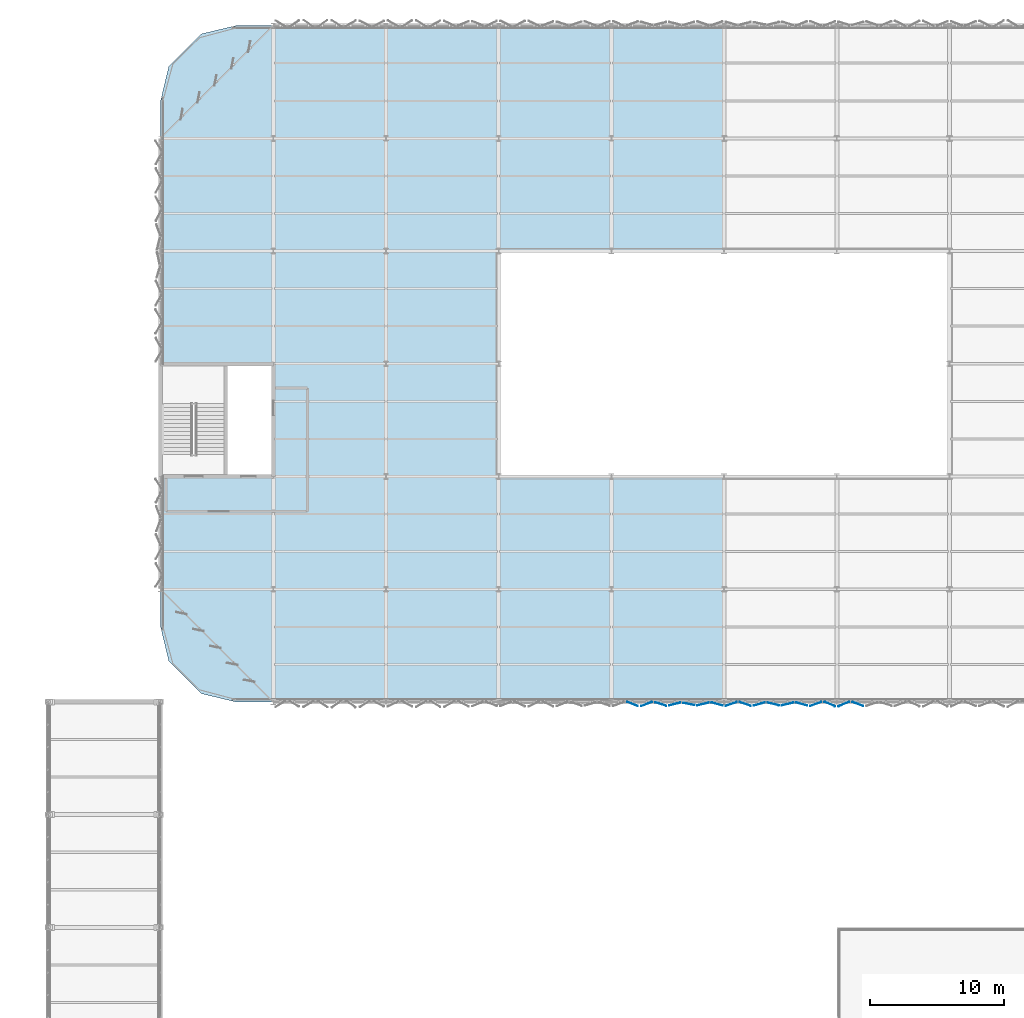
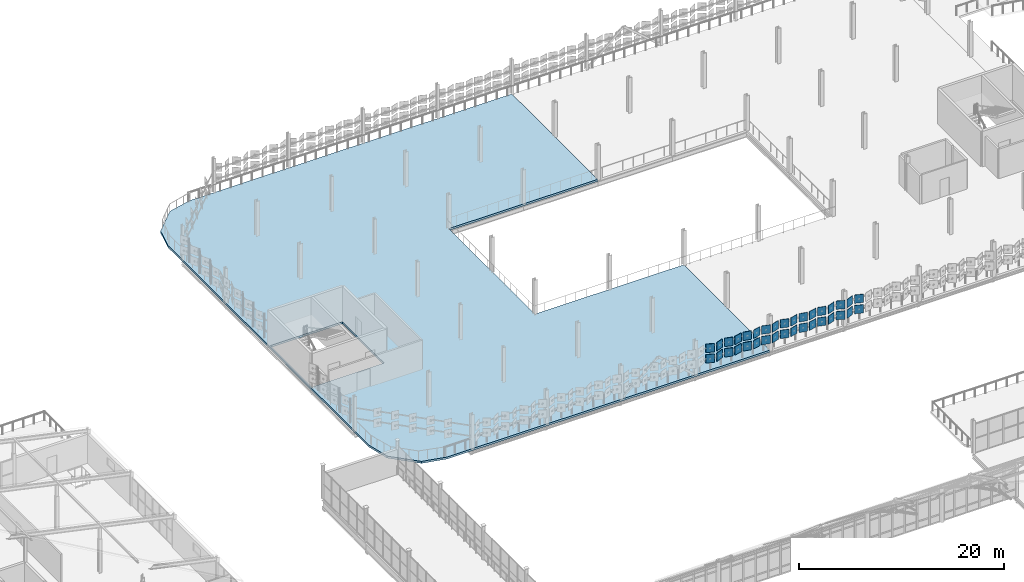
# One storey, part 144 of 184: 34 plates, 1 slab.
"""IFC4 building model written with IfcOpenShell, lengths in metres."""

from ifc_helpers import new_model, si_unit, direction, frame, origin, origin_2d, place, context, subcontext, project, spatial, polyline, rectangle, outline, extrude, material, layer, layer_set, type_object, element, save


model = new_model("IFC4")

# Units and contexts
model_context = context("Model", 3, precision=1e-05, world=origin(), true_north=direction((0.0, 1.0)))
body_context = subcontext(model_context, "Body", "Model", "MODEL_VIEW")
ifc_project = project(units=[si_unit("LENGTHUNIT", "METRE"), si_unit("AREAUNIT", "SQUARE_METRE"), si_unit("VOLUMEUNIT", "CUBIC_METRE"), si_unit("PLANEANGLEUNIT", "RADIAN"), si_unit("MASSUNIT", "GRAM", prefix="KILO")], contexts=[model_context])

# Site, building, storey
site_placement = place(None, origin())
site = spatial("IfcSite", under=ifc_project, at=site_placement, CompositionType="ELEMENT")
building_placement = place(site_placement, origin())
building = spatial("IfcBuilding", under=site, at=building_placement, Name="Qalvenar Corner Mobility Hub", CompositionType="ELEMENT")
storey_placement = place(building_placement, frame((0.0, 0.0, 9.0)))
storey = spatial("IfcBuildingStorey", under=building, at=storey_placement, Name="L02", CompositionType="ELEMENT", Elevation=9.0)

# Plates
ifc_material_1 = material(Name="Amber-Bronze Anodised Aluminium", Category="aluminium")
ifc_layer_1 = layer(ifc_material_1, 0.0380859375)
ifc_layer_set_1 = layer_set([ifc_layer_1], Name="Amber-Bronze Anodised Aluminium")
plate_type = type_object("IfcPlateType", Name="PLT-XC-L2-STD", PredefinedType="SHEET", material=ifc_layer_set_1)
for number, where, z_axis, x_axis, name in (
    (1, (93.97509765625, 67.0400390625, 1.0), (0.0, 0.0, 1.0), (0.925936516366, -0.377679186163, 0.0), "Hinged Facade Panel FP-L02-0411"),
    (2, (93.97509765625, 67.0400390625, 2.25), (0.0, 0.0, 1.0), (0.925936516366, -0.377679186163, 0.0), "Hinged Facade Panel FP-L02-0412"),
    (3, (95.02490234375, 67.0400390625, 1.0), (0.0, 0.0, 1.0), (0.933204632634, 0.359345396006, 0.0), "Hinged Facade Panel FP-L02-0413"),
    (4, (95.02490234375, 67.0400390625, 2.25), (0.0, 0.0, 1.0), (0.933204632634, 0.359345396006, 0.0), "Hinged Facade Panel FP-L02-0414"),
    (5, (96.074951171875, 67.0400390625, 1.0), (0.0, 0.0, 1.0), (0.954135885454, -0.299373866742, 0.0), "Hinged Facade Panel FP-L02-0415"),
    (6, (96.074951171875, 67.0400390625, 2.25), (0.0, 0.0, 1.0), (0.954135885454, -0.299373866742, 0.0), "Hinged Facade Panel FP-L02-0416"),
    (7, (97.125, 67.0400390625, 1.0), (0.0, 0.0, 1.0), (0.972124923868, 0.234463499069, 0.0), "Hinged Facade Panel FP-L02-0417"),
    (8, (97.125, 67.0400390625, 2.25), (0.0, 0.0, 1.0), (0.972124923868, 0.234463499069, 0.0), "Hinged Facade Panel FP-L02-0418"),
    (9, (98.175048828125, 67.0400390625, 1.0), (0.0, 0.0, 1.0), (0.97843694665, -0.206545736898, 0.0), "Hinged Facade Panel FP-L02-0419"),
    (10, (98.175048828125, 67.0400390625, 2.25), (0.0, 0.0, 1.0), (0.97843694665, -0.206545736898, 0.0), "Hinged Facade Panel FP-L02-0420"),
    (11, (99.22509765625, 67.0400390625, 1.0), (0.0, 0.0, 1.0), (0.973259115993, 0.229710019669, 0.0), "Hinged Facade Panel FP-L02-0421"),
    (12, (99.22509765625, 67.0400390625, 2.25), (0.0, 0.0, 1.0), (0.973259115993, 0.229710019669, 0.0), "Hinged Facade Panel FP-L02-0422"),
    (13, (100.27490234375, 67.0400390625, 1.0), (0.0, 0.0, 1.0), (0.96068229455, -0.277650011593, 0.0), "Hinged Facade Panel FP-L02-0423"),
    (14, (100.27490234375, 67.0400390625, 2.25), (0.0, 0.0, 1.0), (0.96068229455, -0.277650011593, 0.0), "Hinged Facade Panel FP-L02-0424"),
    (15, (101.324951171875, 67.0400390625, 1.0), (0.0, 0.0, 1.0), (0.948544944527, 0.316642524327, 0.0), "Hinged Facade Panel FP-L02-0425"),
    (16, (101.324951171875, 67.0400390625, 2.25), (0.0, 0.0, 1.0), (0.948544944527, 0.316642524327, 0.0), "Hinged Facade Panel FP-L02-0426"),
    (17, (102.375, 67.0400390625, 1.0), (0.0, 0.0, 1.0), (0.948212837214, -0.31763566447, 0.0), "Hinged Facade Panel FP-L02-0427"),
    (18, (102.375, 67.0400390625, 2.25), (0.0, 0.0, 1.0), (0.948212837214, -0.31763566447, 0.0), "Hinged Facade Panel FP-L02-0428"),
    (19, (103.425048828125, 67.0400390625, 1.0), (0.0, 0.0, 1.0), (0.960779154158, 0.277314653302, 0.0), "Hinged Facade Panel FP-L02-0429"),
    (20, (103.425048828125, 67.0400390625, 2.25), (0.0, 0.0, 1.0), (0.960779154158, 0.277314653302, 0.0), "Hinged Facade Panel FP-L02-0430"),
    (21, (104.47509765625, 67.0400390625, 1.0), (0.0, 0.0, 1.0), (0.972329161686, -0.233615070866, 0.0), "Hinged Facade Panel FP-L02-0431"),
    (22, (104.47509765625, 67.0400390625, 2.25), (0.0, 0.0, 1.0), (0.972329161686, -0.233615070866, 0.0), "Hinged Facade Panel FP-L02-0432"),
    (23, (105.52490234375, 67.0400390625, 1.0), (0.0, 0.0, 1.0), (0.973658553048, 0.228011013058, 0.0), "Hinged Facade Panel FP-L02-0433"),
    (24, (105.52490234375, 67.0400390625, 2.25), (0.0, 0.0, 1.0), (0.973658553048, 0.228011013058, 0.0), "Hinged Facade Panel FP-L02-0434"),
    (25, (106.574951171875, 67.0400390625, 1.0), (0.0, 0.0, 1.0), (0.962027671586, -0.272951935517, 0.0), "Hinged Facade Panel FP-L02-0435"),
    (26, (106.574951171875, 67.0400390625, 2.25), (0.0, 0.0, 1.0), (0.962027671586, -0.272951935517, 0.0), "Hinged Facade Panel FP-L02-0436"),
    (27, (107.625, 67.0400390625, 1.0), (0.0, 0.0, 1.0), (0.940050268133, 0.341035912161, 0.0), "Hinged Facade Panel FP-L02-0437"),
    (28, (107.625, 67.0400390625, 2.25), (0.0, 0.0, 1.0), (0.940050268133, 0.341035912161, 0.0), "Hinged Facade Panel FP-L02-0438"),
    (29, (108.675048828125, 67.0400390625, 1.0), (0.0, 0.0, 1.0), (0.921456840821, -0.388480746631, 0.0), "Hinged Facade Panel FP-L02-0439"),
    (30, (108.675048828125, 67.0400390625, 2.25), (0.0, 0.0, 1.0), (0.921456840821, -0.388480746631, 0.0), "Hinged Facade Panel FP-L02-0440"),
    (31, (109.72509765625, 67.0400390625, 1.0), (0.0, 0.0, 1.0), (0.921456840821, 0.388480746631, 0.0), "Hinged Facade Panel FP-L02-0441"),
    (32, (109.72509765625, 67.0400390625, 2.25), (0.0, 0.0, 1.0), (0.921456840821, 0.388480746631, 0.0), "Hinged Facade Panel FP-L02-0442"),
    (33, (110.77490234375, 67.0400390625, 1.0), (0.0, 0.0, 1.0), (0.937221137918, -0.348735628579, 0.0), "Hinged Facade Panel FP-L02-0443"),
    (34, (110.77490234375, 67.0400390625, 2.25), (0.0, 0.0, 1.0), (0.937221137918, -0.348735628579, 0.0), "Hinged Facade Panel FP-L02-0444"),
):
    element("IfcPlate", number, at=place(storey_placement, frame(where, z_axis=z_axis, x_axis=x_axis)), inside=storey, type_object=plate_type, Name=name, PredefinedType="SHEET", context=body_context, shape_type="SweptSolid", body=[
        extrude(rectangle(XDim=0.860107421875, YDim=0.0380859375, at=origin_2d()), origin(), (0.0, 0.0, 1.0), 1.0),
    ])

# Slab
ifc_material_2 = material(Name="Concrete C35/45", Category="concrete")
ifc_layer_2 = layer(ifc_material_2, 0.239990234375)
ifc_layer_set_2 = layer_set([ifc_layer_2], Name="Concrete C35/45")
slab_type = type_object("IfcSlabType", Name="SLB-COMP200", PredefinedType="FLOOR", material=ifc_layer_set_2)
slab_placement = place(storey_placement, frame((0.0, 0.0, -0.239990234375)))
element("IfcSlab", 35, at=slab_placement, inside=storey, type_object=slab_type, Name="Composite Deck V4-W-L02", PredefinedType="FLOOR", context=body_context, shape_type="SweptSolid", body=[
    extrude(outline(polyline([(64.39990234375, 67.199951171875), (100.800048828125, 67.199951171875), (100.800048828125, 84.0), (84.0, 84.0), (84.0, 100.800048828125), (100.800048828125, 100.800048828125), (100.800048828125, 117.60009765625), (64.39990234375, 117.60009765625), (61.857666015625, 116.989501953125), (59.410400390625, 114.542236328125), (58.800048828125, 112.0), (58.800048828125, 72.800048828125), (59.410400390625, 70.2578125), (61.857666015625, 67.810302734375), (64.39990234375, 67.199951171875)]), holes=[polyline([(58.929931640625, 84.1298828125), (67.070068359375, 84.1298828125), (67.070068359375, 92.27001953125), (58.929931640625, 92.27001953125), (58.929931640625, 84.1298828125)])]), origin(), (0.0, 0.0, 1.0), 0.239990234375),
])

save(model, "model.ifc")
